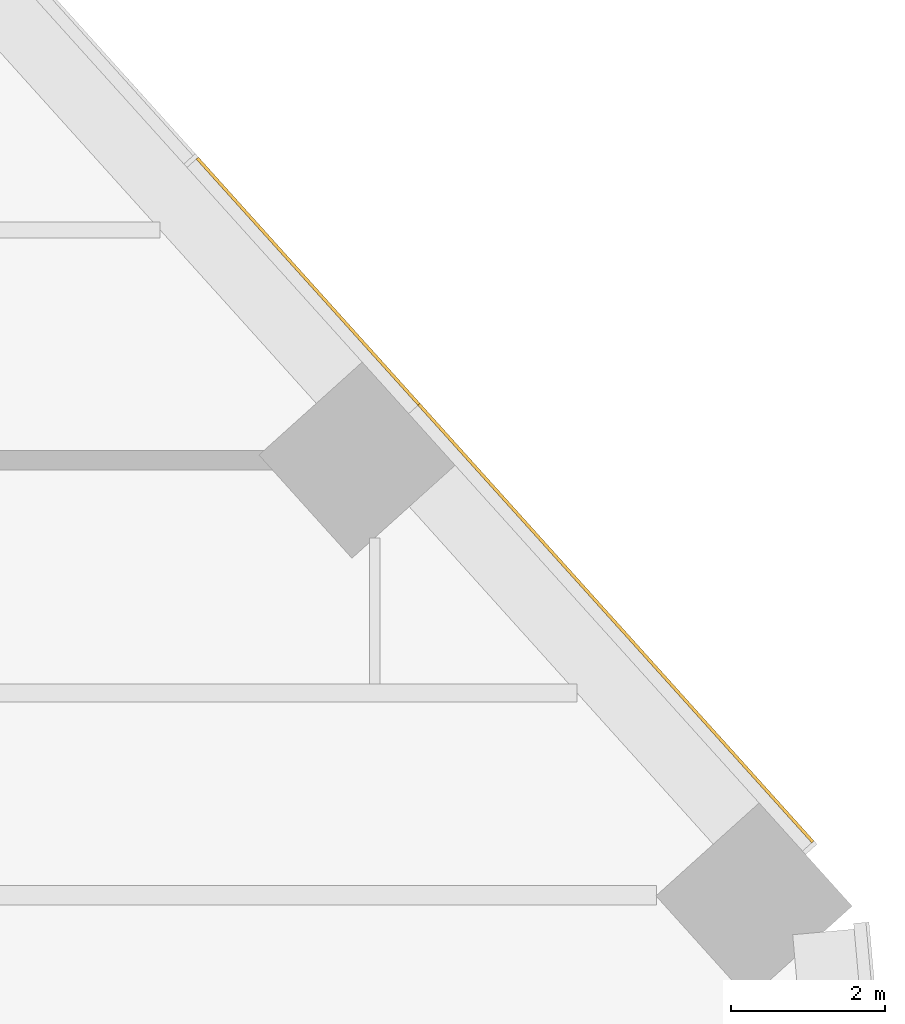
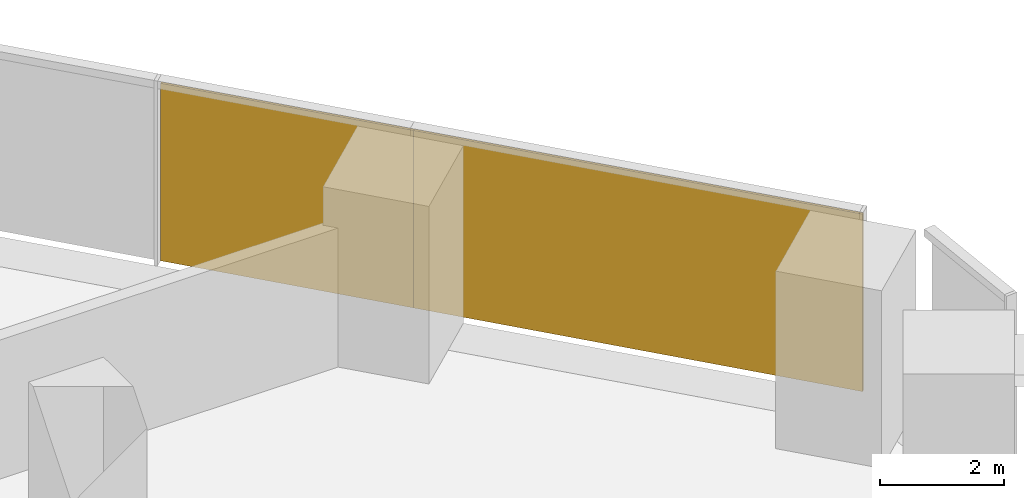
# One storey, part 20 of 20: 2 coverings, 1 element without a shape of its own.
"""IFC4 building model written with IfcOpenShell, lengths in metres."""

from ifc_helpers import new_model, si_unit, direction, frame, origin, origin_2d, place, context, subcontext, project, spatial, rectangle, extrude, material, layer, layer_set, type_object, element, aggregate, save


model = new_model("IFC4")

# Units and contexts
model_context = context("Model", 3, precision=1e-05, world=origin(), true_north=direction((0.0, 1.0)))
body_context = subcontext(model_context, "Body", "Model", "MODEL_VIEW")
ifc_project = project(units=[si_unit("LENGTHUNIT", "METRE"), si_unit("AREAUNIT", "SQUARE_METRE"), si_unit("VOLUMEUNIT", "CUBIC_METRE"), si_unit("PLANEANGLEUNIT", "RADIAN"), si_unit("MASSUNIT", "GRAM", prefix="KILO")], contexts=[model_context])

# Site, building, storey
site_placement = place(None, origin())
site = spatial("IfcSite", under=ifc_project, at=site_placement, CompositionType="ELEMENT")
building_placement = place(site_placement, origin())
building = spatial("IfcBuilding", under=site, at=building_placement, Name="Isthmus Gate Tower", CompositionType="ELEMENT")
storey_placement = place(building_placement, frame((0.0, 0.0, 43.300048828125)))
storey = spatial("IfcBuildingStorey", under=building, at=storey_placement, Name="L08", CompositionType="ELEMENT", Elevation=43.300048828125)

# Curtain wall, coverings
ifc_material_1 = material(Name="Aluminium, pale champagne anodised", Category="aluminium")
ifc_layer_1 = layer(ifc_material_1, 0.199951171875)
ifc_layer_set_1 = layer_set([ifc_layer_1], Name="CW-1 UNITISED CURTAIN WALL 200 DEEP")
curtain_wall_type = type_object("IfcCurtainWallType", Name="CW-1 UNITISED CURTAIN WALL 200 DEEP", PredefinedType="NOTDEFINED", material=ifc_layer_set_1)
curtain_wall_placement = place(storey_placement, origin())
curtain_wall = element("IfcCurtainWall", 1, at=curtain_wall_placement, inside=storey, type_object=curtain_wall_type, Name="CW-1 NE L08", PredefinedType="NOTDEFINED")
ifc_material_2 = material(Name="Aluminium composite panel, pale champagne anodised", Category="aluminium")
ifc_layer_2 = layer(ifc_material_2, 0.0400390625)
ifc_layer_set_2 = layer_set([ifc_layer_2], Name="CW-1 PALE METAL PANEL 40")
covering_type = type_object("IfcCoveringType", Name="CW-1 PALE METAL PANEL 40", PredefinedType="CLADDING", material=ifc_layer_set_2)
covering_1_placement = place(storey_placement, frame((34.79345703125, 8.405029296875, 0.0), z_axis=(0.0, 0.0, 1.0), x_axis=(-0.669130606359, 0.743144825477, 0.0)))
covering_1 = element("IfcCovering", 2, at=covering_1_placement, type_object=covering_type, Name="CW-1 pale metal panel", PredefinedType="CLADDING", context=body_context, shape_type="SweptSolid", body=[
    extrude(rectangle(XDim=7.62939453125, YDim=0.0400390625, at=origin_2d()), origin(), (0.0, 0.0, 1.0), 3.5),
])
covering_2_placement = place(storey_placement, frame((30.80419921875, 12.835693359375, 0.0), z_axis=(0.0, 0.0, 1.0), x_axis=(-0.669130606359, 0.743144825477, 0.0)))
covering_2 = element("IfcCovering", 3, at=covering_2_placement, type_object=covering_type, Name="CW-1 pale metal panel", PredefinedType="CLADDING", context=body_context, shape_type="SweptSolid", body=[
    extrude(rectangle(XDim=4.294677734375, YDim=0.0400390625, at=origin_2d()), origin(), (0.0, 0.0, 1.0), 3.5),
])
aggregate(curtain_wall, [covering_1, covering_2])

save(model, "model.ifc")
